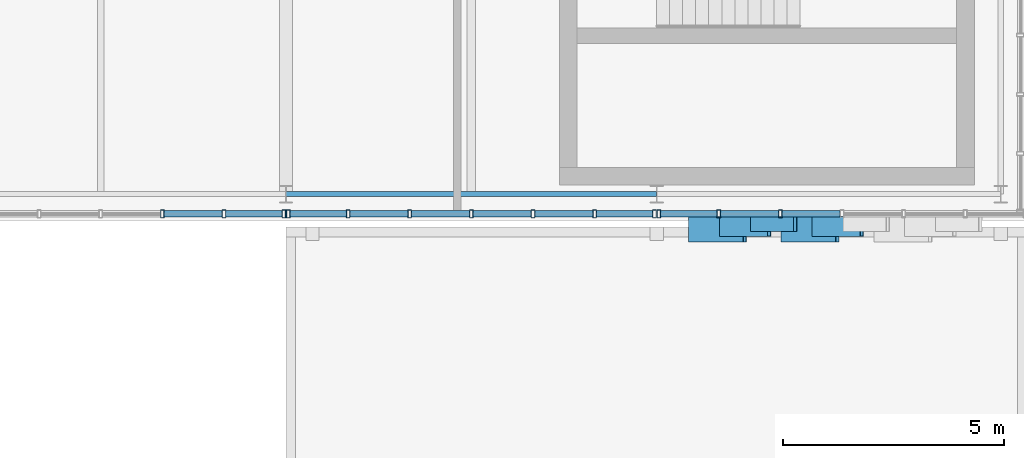
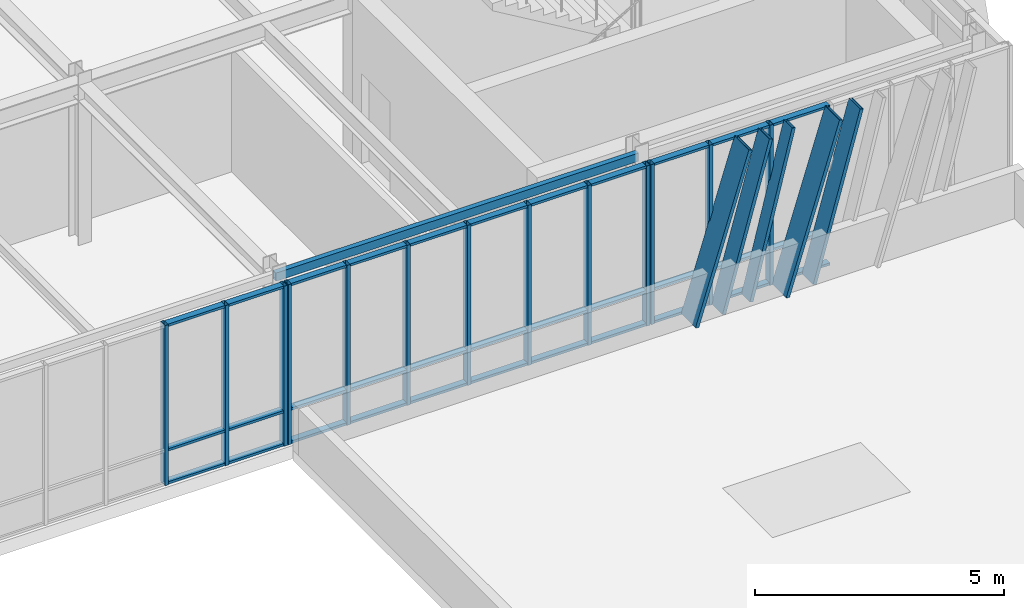
# One storey, part 27 of 127: 51 members, 1 beam, 3 elements without a shape of their own.
"""IFC4 building model written with IfcOpenShell, lengths in metres."""

from ifc_helpers import new_model, si_unit, direction, frame, origin, origin_2d, place, context, subcontext, project, spatial, hollow_rectangle, extrude, material, layer, layer_set, material_profile, profile_set, type_object, element, aggregate, save


model = new_model("IFC4")

# Units and contexts
model_context = context("Model", 3, precision=1e-05, world=origin(), true_north=direction((0.0, 1.0)))
body_context = subcontext(model_context, "Body", "Model", "MODEL_VIEW")
ifc_project = project(units=[si_unit("LENGTHUNIT", "METRE"), si_unit("AREAUNIT", "SQUARE_METRE"), si_unit("VOLUMEUNIT", "CUBIC_METRE"), si_unit("PLANEANGLEUNIT", "RADIAN"), si_unit("MASSUNIT", "GRAM", prefix="KILO")], contexts=[model_context])

# Site, building, storey
site_placement = place(None, origin())
site = spatial("IfcSite", under=ifc_project, at=site_placement, CompositionType="ELEMENT")
building_placement = place(site_placement, origin())
building = spatial("IfcBuilding", under=site, at=building_placement, Name="Zayran Congress Hotel", CompositionType="ELEMENT")
storey_placement = place(building_placement, frame((0.0, 0.0, 10.800048828125)))
storey = spatial("IfcBuildingStorey", under=building, at=storey_placement, Name="L02", CompositionType="ELEMENT", Elevation=10.800048828125)

# Beam
ifc_material_1 = material(Name="Steel S355", Category="steel")
ifc_material_profile_1 = material_profile(ifc_material_1, hollow_rectangle(XDim=0.1201171875, YDim=0.199951171875, WallThickness=0.008056640625, at=origin_2d()), Name="RHS 200x120x8")
ifc_profile_set_1 = profile_set([ifc_material_profile_1], Name="Steel S355")
beam_type = type_object("IfcBeamType", Name="TP-SP-02", PredefinedType="SPANDREL", material=ifc_profile_set_1)
beam_placement = place(storey_placement, frame((75.60009765625, 68.199951171875, 3.820068359375), z_axis=(1.0, 0.0, 0.0), x_axis=(0.0, 1.0, 0.0)))
element("IfcBeam", 1, at=beam_placement, inside=storey, type_object=beam_type, Name="BM-V1-L02-0660", PredefinedType="SPANDREL", context=body_context, shape_type="SweptSolid", body=[
    extrude(hollow_rectangle(XDim=0.1201171875, YDim=0.199951171875, WallThickness=0.008056640625, at=origin_2d()), origin(), (0.0, 0.0, 1.0), 8.39990234375),
])

# Curtain wall, members
ifc_material_2 = material(Name="Anodised aluminium and low-E insulated glass", Category="aluminium")
ifc_layer_1 = layer(ifc_material_2, 0.179931640625)
ifc_layer_set_1 = layer_set([ifc_layer_1], Name="Anodised aluminium and low-E insulated glass")
curtain_wall_type_1 = type_object("IfcCurtainWallType", Name="CW-V1S-L02-CW-12-8380-3920", PredefinedType="USERDEFINED", material=ifc_layer_set_1)
curtain_wall_1_placement = place(storey_placement, origin())
curtain_wall_1 = element("IfcCurtainWall", 2, at=curtain_wall_1_placement, inside=storey, type_object=curtain_wall_type_1, Name="CW-V1S-L02-7", ObjectType="CURTAIN WALL", PredefinedType="USERDEFINED")
ifc_material_3 = material(Name="Anodised aluminium framing", Category="aluminium")
ifc_material_profile_2 = material_profile(ifc_material_3, hollow_rectangle(XDim=0.080078125, YDim=0.179931640625, WallThickness=0.0048828125, at=origin_2d()), Name="RHS 180x80x5")
ifc_profile_set_2 = profile_set([ifc_material_profile_2], Name="Anodised aluminium framing")
member_type_1 = type_object("IfcMemberType", Name="TP-CWM-01", PredefinedType="MULLION", material=ifc_profile_set_2)
member_1_placement = place(storey_placement, frame((72.796630859375, 67.75, 0.0), z_axis=(0.0, 0.0, 1.0), x_axis=(1.0, 0.0, 0.0)))
member_1 = element("IfcMember", 3, at=member_1_placement, type_object=member_type_1, Name="CW-V1S-L02-7-M04", PredefinedType="MULLION", context=body_context, shape_type="SweptSolid", body=[
    extrude(hollow_rectangle(XDim=0.080078125, YDim=0.179931640625, WallThickness=0.0048828125, at=origin_2d()), origin(), (0.0, 0.0, 1.0), 3.919921875),
])
member_2_placement = place(storey_placement, frame((74.193359375, 67.75, 0.0), z_axis=(0.0, 0.0, 1.0), x_axis=(1.0, 0.0, 0.0)))
member_2 = element("IfcMember", 4, at=member_2_placement, type_object=member_type_1, Name="CW-V1S-L02-7-M05", PredefinedType="MULLION", context=body_context, shape_type="SweptSolid", body=[
    extrude(hollow_rectangle(XDim=0.080078125, YDim=0.179931640625, WallThickness=0.0048828125, at=origin_2d()), origin(), (0.0, 0.0, 1.0), 3.919921875),
])
member_3_placement = place(storey_placement, frame((75.550048828125, 67.75, 0.0), z_axis=(0.0, 0.0, 1.0), x_axis=(1.0, 0.0, 0.0)))
member_3 = element("IfcMember", 5, at=member_3_placement, type_object=member_type_1, Name="CW-V1S-L02-7-M06", PredefinedType="MULLION", context=body_context, shape_type="SweptSolid", body=[
    extrude(hollow_rectangle(XDim=0.080078125, YDim=0.179931640625, WallThickness=0.0048828125, at=origin_2d()), origin(), (0.0, 0.0, 1.0), 3.919921875),
])

ifc_layer_2 = layer(ifc_material_2, 0.179931640625)
ifc_layer_set_2 = layer_set([ifc_layer_2], Name="Anodised aluminium and low-E insulated glass")
curtain_wall_type_2 = type_object("IfcCurtainWallType", Name="CW-V1S-L02-CW-13-8380-3920", PredefinedType="USERDEFINED", material=ifc_layer_set_2)
curtain_wall_2_placement = place(storey_placement, origin())
curtain_wall_2 = element("IfcCurtainWall", 6, at=curtain_wall_2_placement, inside=storey, type_object=curtain_wall_type_2, Name="CW-V1S-L02-8", ObjectType="CURTAIN WALL", PredefinedType="USERDEFINED")
member_4_placement = place(storey_placement, frame((75.64990234375, 67.75, 0.0), z_axis=(0.0, 0.0, 1.0), x_axis=(1.0, 0.0, 0.0)))
member_4 = element("IfcMember", 7, at=member_4_placement, type_object=member_type_1, Name="CW-V1S-L02-8-M00", PredefinedType="MULLION", context=body_context, shape_type="SweptSolid", body=[
    extrude(hollow_rectangle(XDim=0.080078125, YDim=0.179931640625, WallThickness=0.0048828125, at=origin_2d()), origin(), (0.0, 0.0, 1.0), 3.919921875),
])
member_5_placement = place(storey_placement, frame((77.006591796875, 67.75, 0.0), z_axis=(0.0, 0.0, 1.0), x_axis=(1.0, 0.0, 0.0)))
member_5 = element("IfcMember", 8, at=member_5_placement, type_object=member_type_1, Name="CW-V1S-L02-8-M01", PredefinedType="MULLION", context=body_context, shape_type="SweptSolid", body=[
    extrude(hollow_rectangle(XDim=0.080078125, YDim=0.179931640625, WallThickness=0.0048828125, at=origin_2d()), origin(), (0.0, 0.0, 1.0), 3.919921875),
])
member_6_placement = place(storey_placement, frame((78.4033203125, 67.75, 0.0), z_axis=(0.0, 0.0, 1.0), x_axis=(1.0, 0.0, 0.0)))
member_6 = element("IfcMember", 9, at=member_6_placement, type_object=member_type_1, Name="CW-V1S-L02-8-M02", PredefinedType="MULLION", context=body_context, shape_type="SweptSolid", body=[
    extrude(hollow_rectangle(XDim=0.080078125, YDim=0.179931640625, WallThickness=0.0048828125, at=origin_2d()), origin(), (0.0, 0.0, 1.0), 3.919921875),
])
member_7_placement = place(storey_placement, frame((79.800048828125, 67.75, 0.0), z_axis=(0.0, 0.0, 1.0), x_axis=(1.0, 0.0, 0.0)))
member_7 = element("IfcMember", 10, at=member_7_placement, type_object=member_type_1, Name="CW-V1S-L02-8-M03", PredefinedType="MULLION", context=body_context, shape_type="SweptSolid", body=[
    extrude(hollow_rectangle(XDim=0.080078125, YDim=0.179931640625, WallThickness=0.0048828125, at=origin_2d()), origin(), (0.0, 0.0, 1.0), 3.919921875),
])
member_8_placement = place(storey_placement, frame((81.19677734375, 67.75, 0.0), z_axis=(0.0, 0.0, 1.0), x_axis=(1.0, 0.0, 0.0)))
member_8 = element("IfcMember", 11, at=member_8_placement, type_object=member_type_1, Name="CW-V1S-L02-8-M04", PredefinedType="MULLION", context=body_context, shape_type="SweptSolid", body=[
    extrude(hollow_rectangle(XDim=0.080078125, YDim=0.179931640625, WallThickness=0.0048828125, at=origin_2d()), origin(), (0.0, 0.0, 1.0), 3.919921875),
])
member_9_placement = place(storey_placement, frame((82.59326171875, 67.75, 0.0), z_axis=(0.0, 0.0, 1.0), x_axis=(1.0, 0.0, 0.0)))
member_9 = element("IfcMember", 12, at=member_9_placement, type_object=member_type_1, Name="CW-V1S-L02-8-M05", PredefinedType="MULLION", context=body_context, shape_type="SweptSolid", body=[
    extrude(hollow_rectangle(XDim=0.080078125, YDim=0.179931640625, WallThickness=0.0048828125, at=origin_2d()), origin(), (0.0, 0.0, 1.0), 3.919921875),
])
member_10_placement = place(storey_placement, frame((83.949951171875, 67.75, 0.0), z_axis=(0.0, 0.0, 1.0), x_axis=(1.0, 0.0, 0.0)))
member_10 = element("IfcMember", 13, at=member_10_placement, type_object=member_type_1, Name="CW-V1S-L02-8-M06", PredefinedType="MULLION", context=body_context, shape_type="SweptSolid", body=[
    extrude(hollow_rectangle(XDim=0.080078125, YDim=0.179931640625, WallThickness=0.0048828125, at=origin_2d()), origin(), (0.0, 0.0, 1.0), 3.919921875),
])

ifc_layer_3 = layer(ifc_material_2, 0.179931640625)
ifc_layer_set_3 = layer_set([ifc_layer_3], Name="Anodised aluminium and low-E insulated glass")
curtain_wall_type_3 = type_object("IfcCurtainWallType", Name="CW-V1S-L02-CW-11-8380-3920", PredefinedType="USERDEFINED", material=ifc_layer_set_3)
curtain_wall_3_placement = place(storey_placement, origin())
curtain_wall_3 = element("IfcCurtainWall", 14, at=curtain_wall_3_placement, inside=storey, type_object=curtain_wall_type_3, Name="CW-V1S-L02-9", ObjectType="CURTAIN WALL", PredefinedType="USERDEFINED")
member_11_placement = place(storey_placement, frame((84.050048828125, 67.75, 0.0), z_axis=(0.0, 0.0, 1.0), x_axis=(1.0, 0.0, 0.0)))
member_11 = element("IfcMember", 15, at=member_11_placement, type_object=member_type_1, Name="CW-V1S-L02-9-M00", PredefinedType="MULLION", context=body_context, shape_type="SweptSolid", body=[
    extrude(hollow_rectangle(XDim=0.080078125, YDim=0.179931640625, WallThickness=0.0048828125, at=origin_2d()), origin(), (0.0, 0.0, 1.0), 3.919921875),
])
member_12_placement = place(storey_placement, frame((85.40673828125, 67.75, 0.0), z_axis=(0.0, 0.0, 1.0), x_axis=(1.0, 0.0, 0.0)))
member_12 = element("IfcMember", 16, at=member_12_placement, type_object=member_type_1, Name="CW-V1S-L02-9-M01", PredefinedType="MULLION", context=body_context, shape_type="SweptSolid", body=[
    extrude(hollow_rectangle(XDim=0.080078125, YDim=0.179931640625, WallThickness=0.0048828125, at=origin_2d()), origin(), (0.0, 0.0, 1.0), 3.919921875),
])
member_13_placement = place(storey_placement, frame((86.80322265625, 67.75, 0.0), z_axis=(0.0, 0.0, 1.0), x_axis=(1.0, 0.0, 0.0)))
member_13 = element("IfcMember", 17, at=member_13_placement, type_object=member_type_1, Name="CW-V1S-L02-9-M02", PredefinedType="MULLION", context=body_context, shape_type="SweptSolid", body=[
    extrude(hollow_rectangle(XDim=0.080078125, YDim=0.179931640625, WallThickness=0.0048828125, at=origin_2d()), origin(), (0.0, 0.0, 1.0), 3.919921875),
])

# Member
ifc_material_profile_3 = material_profile(ifc_material_3, hollow_rectangle(XDim=0.06005859375, YDim=0.14990234375, WallThickness=0.00390625, at=origin_2d()), Name="RHS 150x60x4")
ifc_profile_set_3 = profile_set([ifc_material_profile_3], Name="Anodised aluminium framing")
member_type_2 = type_object("IfcMemberType", Name="TP-CWT-01", PredefinedType="USERDEFINED", material=ifc_profile_set_3)
member_14_placement = place(storey_placement, frame((72.836669921875, 67.75, 0.030029296875), z_axis=(1.0, 0.0, 0.0), x_axis=(0.0, 0.0, 1.0)))
member_14 = element("IfcMember", 18, at=member_14_placement, type_object=member_type_2, Name="CW-V1S-L02-7-T04-0", ObjectType="TRANSOM", PredefinedType="USERDEFINED", context=body_context, shape_type="SweptSolid", body=[
    extrude(hollow_rectangle(XDim=0.06005859375, YDim=0.14990234375, WallThickness=0.00390625, at=origin_2d()), origin(), (0.0, 0.0, 1.0), 1.316650390625),
])

member_15_placement = place(storey_placement, frame((72.836669921875, 67.75, 0.83984375), z_axis=(1.0, 0.0, 0.0), x_axis=(0.0, 0.0, 1.0)))
member_15 = element("IfcMember", 19, at=member_15_placement, type_object=member_type_2, Name="CW-V1S-L02-7-T04-1", ObjectType="TRANSOM", PredefinedType="USERDEFINED", context=body_context, shape_type="SweptSolid", body=[
    extrude(hollow_rectangle(XDim=0.06005859375, YDim=0.14990234375, WallThickness=0.00390625, at=origin_2d()), origin(), (0.0, 0.0, 1.0), 1.316650390625),
])

member_16_placement = place(storey_placement, frame((72.836669921875, 67.75, 3.889892578125), z_axis=(1.0, 0.0, 0.0), x_axis=(0.0, 0.0, 1.0)))
member_16 = element("IfcMember", 20, at=member_16_placement, type_object=member_type_2, Name="CW-V1S-L02-7-T04-2", ObjectType="TRANSOM", PredefinedType="USERDEFINED", context=body_context, shape_type="SweptSolid", body=[
    extrude(hollow_rectangle(XDim=0.06005859375, YDim=0.14990234375, WallThickness=0.00390625, at=origin_2d()), origin(), (0.0, 0.0, 1.0), 1.316650390625),
])

member_17_placement = place(storey_placement, frame((74.2333984375, 67.75, 0.030029296875), z_axis=(1.0, 0.0, 0.0), x_axis=(0.0, 0.0, 1.0)))
member_17 = element("IfcMember", 21, at=member_17_placement, type_object=member_type_2, Name="CW-V1S-L02-7-T05-0", ObjectType="TRANSOM", PredefinedType="USERDEFINED", context=body_context, shape_type="SweptSolid", body=[
    extrude(hollow_rectangle(XDim=0.06005859375, YDim=0.14990234375, WallThickness=0.00390625, at=origin_2d()), origin(), (0.0, 0.0, 1.0), 1.276611328125),
])

member_18_placement = place(storey_placement, frame((74.2333984375, 67.75, 0.83984375), z_axis=(1.0, 0.0, 0.0), x_axis=(0.0, 0.0, 1.0)))
member_18 = element("IfcMember", 22, at=member_18_placement, type_object=member_type_2, Name="CW-V1S-L02-7-T05-1", ObjectType="TRANSOM", PredefinedType="USERDEFINED", context=body_context, shape_type="SweptSolid", body=[
    extrude(hollow_rectangle(XDim=0.06005859375, YDim=0.14990234375, WallThickness=0.00390625, at=origin_2d()), origin(), (0.0, 0.0, 1.0), 1.276611328125),
])

member_19_placement = place(storey_placement, frame((74.2333984375, 67.75, 3.889892578125), z_axis=(1.0, 0.0, 0.0), x_axis=(0.0, 0.0, 1.0)))
member_19 = element("IfcMember", 23, at=member_19_placement, type_object=member_type_2, Name="CW-V1S-L02-7-T05-2", ObjectType="TRANSOM", PredefinedType="USERDEFINED", context=body_context, shape_type="SweptSolid", body=[
    extrude(hollow_rectangle(XDim=0.06005859375, YDim=0.14990234375, WallThickness=0.00390625, at=origin_2d()), origin(), (0.0, 0.0, 1.0), 1.276611328125),
])

aggregate(curtain_wall_1, [member_1, member_2, member_3, member_14, member_15, member_16, member_17, member_18, member_19])

member_20_placement = place(storey_placement, frame((75.68994140625, 67.75, 0.030029296875), z_axis=(1.0, 0.0, 0.0), x_axis=(0.0, 0.0, 1.0)))
member_20 = element("IfcMember", 24, at=member_20_placement, type_object=member_type_2, Name="CW-V1S-L02-8-T00-0", ObjectType="TRANSOM", PredefinedType="USERDEFINED", context=body_context, shape_type="SweptSolid", body=[
    extrude(hollow_rectangle(XDim=0.06005859375, YDim=0.14990234375, WallThickness=0.00390625, at=origin_2d()), origin(), (0.0, 0.0, 1.0), 1.27685546875),
])

member_21_placement = place(storey_placement, frame((75.68994140625, 67.75, 0.83984375), z_axis=(1.0, 0.0, 0.0), x_axis=(0.0, 0.0, 1.0)))
member_21 = element("IfcMember", 25, at=member_21_placement, type_object=member_type_2, Name="CW-V1S-L02-8-T00-1", ObjectType="TRANSOM", PredefinedType="USERDEFINED", context=body_context, shape_type="SweptSolid", body=[
    extrude(hollow_rectangle(XDim=0.06005859375, YDim=0.14990234375, WallThickness=0.00390625, at=origin_2d()), origin(), (0.0, 0.0, 1.0), 1.27685546875),
])

member_22_placement = place(storey_placement, frame((75.68994140625, 67.75, 3.889892578125), z_axis=(1.0, 0.0, 0.0), x_axis=(0.0, 0.0, 1.0)))
member_22 = element("IfcMember", 26, at=member_22_placement, type_object=member_type_2, Name="CW-V1S-L02-8-T00-2", ObjectType="TRANSOM", PredefinedType="USERDEFINED", context=body_context, shape_type="SweptSolid", body=[
    extrude(hollow_rectangle(XDim=0.06005859375, YDim=0.14990234375, WallThickness=0.00390625, at=origin_2d()), origin(), (0.0, 0.0, 1.0), 1.27685546875),
])

member_23_placement = place(storey_placement, frame((77.046630859375, 67.75, 0.030029296875), z_axis=(1.0, 0.0, 0.0), x_axis=(0.0, 0.0, 1.0)))
member_23 = element("IfcMember", 27, at=member_23_placement, type_object=member_type_2, Name="CW-V1S-L02-8-T01-0", ObjectType="TRANSOM", PredefinedType="USERDEFINED", context=body_context, shape_type="SweptSolid", body=[
    extrude(hollow_rectangle(XDim=0.06005859375, YDim=0.14990234375, WallThickness=0.00390625, at=origin_2d()), origin(), (0.0, 0.0, 1.0), 1.316650390625),
])

member_24_placement = place(storey_placement, frame((77.046630859375, 67.75, 0.83984375), z_axis=(1.0, 0.0, 0.0), x_axis=(0.0, 0.0, 1.0)))
member_24 = element("IfcMember", 28, at=member_24_placement, type_object=member_type_2, Name="CW-V1S-L02-8-T01-1", ObjectType="TRANSOM", PredefinedType="USERDEFINED", context=body_context, shape_type="SweptSolid", body=[
    extrude(hollow_rectangle(XDim=0.06005859375, YDim=0.14990234375, WallThickness=0.00390625, at=origin_2d()), origin(), (0.0, 0.0, 1.0), 1.316650390625),
])

member_25_placement = place(storey_placement, frame((77.046630859375, 67.75, 3.889892578125), z_axis=(1.0, 0.0, 0.0), x_axis=(0.0, 0.0, 1.0)))
member_25 = element("IfcMember", 29, at=member_25_placement, type_object=member_type_2, Name="CW-V1S-L02-8-T01-2", ObjectType="TRANSOM", PredefinedType="USERDEFINED", context=body_context, shape_type="SweptSolid", body=[
    extrude(hollow_rectangle(XDim=0.06005859375, YDim=0.14990234375, WallThickness=0.00390625, at=origin_2d()), origin(), (0.0, 0.0, 1.0), 1.316650390625),
])

member_26_placement = place(storey_placement, frame((78.443359375, 67.75, 0.030029296875), z_axis=(1.0, 0.0, 0.0), x_axis=(0.0, 0.0, 1.0)))
member_26 = element("IfcMember", 30, at=member_26_placement, type_object=member_type_2, Name="CW-V1S-L02-8-T02-0", ObjectType="TRANSOM", PredefinedType="USERDEFINED", context=body_context, shape_type="SweptSolid", body=[
    extrude(hollow_rectangle(XDim=0.06005859375, YDim=0.14990234375, WallThickness=0.00390625, at=origin_2d()), origin(), (0.0, 0.0, 1.0), 1.316650390625),
])

member_27_placement = place(storey_placement, frame((78.443359375, 67.75, 0.83984375), z_axis=(1.0, 0.0, 0.0), x_axis=(0.0, 0.0, 1.0)))
member_27 = element("IfcMember", 31, at=member_27_placement, type_object=member_type_2, Name="CW-V1S-L02-8-T02-1", ObjectType="TRANSOM", PredefinedType="USERDEFINED", context=body_context, shape_type="SweptSolid", body=[
    extrude(hollow_rectangle(XDim=0.06005859375, YDim=0.14990234375, WallThickness=0.00390625, at=origin_2d()), origin(), (0.0, 0.0, 1.0), 1.316650390625),
])

member_28_placement = place(storey_placement, frame((78.443359375, 67.75, 3.889892578125), z_axis=(1.0, 0.0, 0.0), x_axis=(0.0, 0.0, 1.0)))
member_28 = element("IfcMember", 32, at=member_28_placement, type_object=member_type_2, Name="CW-V1S-L02-8-T02-2", ObjectType="TRANSOM", PredefinedType="USERDEFINED", context=body_context, shape_type="SweptSolid", body=[
    extrude(hollow_rectangle(XDim=0.06005859375, YDim=0.14990234375, WallThickness=0.00390625, at=origin_2d()), origin(), (0.0, 0.0, 1.0), 1.316650390625),
])

member_29_placement = place(storey_placement, frame((79.840087890625, 67.75, 0.030029296875), z_axis=(1.0, 0.0, 0.0), x_axis=(0.0, 0.0, 1.0)))
member_29 = element("IfcMember", 33, at=member_29_placement, type_object=member_type_2, Name="CW-V1S-L02-8-T03-0", ObjectType="TRANSOM", PredefinedType="USERDEFINED", context=body_context, shape_type="SweptSolid", body=[
    extrude(hollow_rectangle(XDim=0.06005859375, YDim=0.14990234375, WallThickness=0.00390625, at=origin_2d()), origin(), (0.0, 0.0, 1.0), 1.316650390625),
])

member_30_placement = place(storey_placement, frame((79.840087890625, 67.75, 0.83984375), z_axis=(1.0, 0.0, 0.0), x_axis=(0.0, 0.0, 1.0)))
member_30 = element("IfcMember", 34, at=member_30_placement, type_object=member_type_2, Name="CW-V1S-L02-8-T03-1", ObjectType="TRANSOM", PredefinedType="USERDEFINED", context=body_context, shape_type="SweptSolid", body=[
    extrude(hollow_rectangle(XDim=0.06005859375, YDim=0.14990234375, WallThickness=0.00390625, at=origin_2d()), origin(), (0.0, 0.0, 1.0), 1.316650390625),
])

member_31_placement = place(storey_placement, frame((79.840087890625, 67.75, 3.889892578125), z_axis=(1.0, 0.0, 0.0), x_axis=(0.0, 0.0, 1.0)))
member_31 = element("IfcMember", 35, at=member_31_placement, type_object=member_type_2, Name="CW-V1S-L02-8-T03-2", ObjectType="TRANSOM", PredefinedType="USERDEFINED", context=body_context, shape_type="SweptSolid", body=[
    extrude(hollow_rectangle(XDim=0.06005859375, YDim=0.14990234375, WallThickness=0.00390625, at=origin_2d()), origin(), (0.0, 0.0, 1.0), 1.316650390625),
])

member_32_placement = place(storey_placement, frame((81.23681640625, 67.75, 0.030029296875), z_axis=(1.0, 0.0, 0.0), x_axis=(0.0, 0.0, 1.0)))
member_32 = element("IfcMember", 36, at=member_32_placement, type_object=member_type_2, Name="CW-V1S-L02-8-T04-0", ObjectType="TRANSOM", PredefinedType="USERDEFINED", context=body_context, shape_type="SweptSolid", body=[
    extrude(hollow_rectangle(XDim=0.06005859375, YDim=0.14990234375, WallThickness=0.00390625, at=origin_2d()), origin(), (0.0, 0.0, 1.0), 1.31640625),
])

member_33_placement = place(storey_placement, frame((81.23681640625, 67.75, 0.83984375), z_axis=(1.0, 0.0, 0.0), x_axis=(0.0, 0.0, 1.0)))
member_33 = element("IfcMember", 37, at=member_33_placement, type_object=member_type_2, Name="CW-V1S-L02-8-T04-1", ObjectType="TRANSOM", PredefinedType="USERDEFINED", context=body_context, shape_type="SweptSolid", body=[
    extrude(hollow_rectangle(XDim=0.06005859375, YDim=0.14990234375, WallThickness=0.00390625, at=origin_2d()), origin(), (0.0, 0.0, 1.0), 1.31640625),
])

member_34_placement = place(storey_placement, frame((81.23681640625, 67.75, 3.889892578125), z_axis=(1.0, 0.0, 0.0), x_axis=(0.0, 0.0, 1.0)))
member_34 = element("IfcMember", 38, at=member_34_placement, type_object=member_type_2, Name="CW-V1S-L02-8-T04-2", ObjectType="TRANSOM", PredefinedType="USERDEFINED", context=body_context, shape_type="SweptSolid", body=[
    extrude(hollow_rectangle(XDim=0.06005859375, YDim=0.14990234375, WallThickness=0.00390625, at=origin_2d()), origin(), (0.0, 0.0, 1.0), 1.31640625),
])

member_35_placement = place(storey_placement, frame((82.63330078125, 67.75, 0.030029296875), z_axis=(1.0, 0.0, 0.0), x_axis=(0.0, 0.0, 1.0)))
member_35 = element("IfcMember", 39, at=member_35_placement, type_object=member_type_2, Name="CW-V1S-L02-8-T05-0", ObjectType="TRANSOM", PredefinedType="USERDEFINED", context=body_context, shape_type="SweptSolid", body=[
    extrude(hollow_rectangle(XDim=0.06005859375, YDim=0.14990234375, WallThickness=0.00390625, at=origin_2d()), origin(), (0.0, 0.0, 1.0), 1.276611328125),
])

member_36_placement = place(storey_placement, frame((82.63330078125, 67.75, 0.83984375), z_axis=(1.0, 0.0, 0.0), x_axis=(0.0, 0.0, 1.0)))
member_36 = element("IfcMember", 40, at=member_36_placement, type_object=member_type_2, Name="CW-V1S-L02-8-T05-1", ObjectType="TRANSOM", PredefinedType="USERDEFINED", context=body_context, shape_type="SweptSolid", body=[
    extrude(hollow_rectangle(XDim=0.06005859375, YDim=0.14990234375, WallThickness=0.00390625, at=origin_2d()), origin(), (0.0, 0.0, 1.0), 1.276611328125),
])

member_37_placement = place(storey_placement, frame((82.63330078125, 67.75, 3.889892578125), z_axis=(1.0, 0.0, 0.0), x_axis=(0.0, 0.0, 1.0)))
member_37 = element("IfcMember", 41, at=member_37_placement, type_object=member_type_2, Name="CW-V1S-L02-8-T05-2", ObjectType="TRANSOM", PredefinedType="USERDEFINED", context=body_context, shape_type="SweptSolid", body=[
    extrude(hollow_rectangle(XDim=0.06005859375, YDim=0.14990234375, WallThickness=0.00390625, at=origin_2d()), origin(), (0.0, 0.0, 1.0), 1.276611328125),
])

aggregate(curtain_wall_2, [member_4, member_5, member_6, member_7, member_8, member_9, member_10, member_20, member_21, member_22, member_23, member_24, member_25, member_26, member_27, member_28, member_29, member_30, member_31, member_32, member_33, member_34, member_35, member_36, member_37])

member_38_placement = place(storey_placement, frame((84.090087890625, 67.75, 0.030029296875), z_axis=(1.0, 0.0, 0.0), x_axis=(0.0, 0.0, 1.0)))
member_38 = element("IfcMember", 42, at=member_38_placement, type_object=member_type_2, Name="CW-V1S-L02-9-T00-0", ObjectType="TRANSOM", PredefinedType="USERDEFINED", context=body_context, shape_type="SweptSolid", body=[
    extrude(hollow_rectangle(XDim=0.06005859375, YDim=0.14990234375, WallThickness=0.00390625, at=origin_2d()), origin(), (0.0, 0.0, 1.0), 1.276611328125),
])

member_39_placement = place(storey_placement, frame((84.090087890625, 67.75, 0.83984375), z_axis=(1.0, 0.0, 0.0), x_axis=(0.0, 0.0, 1.0)))
member_39 = element("IfcMember", 43, at=member_39_placement, type_object=member_type_2, Name="CW-V1S-L02-9-T00-1", ObjectType="TRANSOM", PredefinedType="USERDEFINED", context=body_context, shape_type="SweptSolid", body=[
    extrude(hollow_rectangle(XDim=0.06005859375, YDim=0.14990234375, WallThickness=0.00390625, at=origin_2d()), origin(), (0.0, 0.0, 1.0), 1.276611328125),
])

member_40_placement = place(storey_placement, frame((84.090087890625, 67.75, 3.889892578125), z_axis=(1.0, 0.0, 0.0), x_axis=(0.0, 0.0, 1.0)))
member_40 = element("IfcMember", 44, at=member_40_placement, type_object=member_type_2, Name="CW-V1S-L02-9-T00-2", ObjectType="TRANSOM", PredefinedType="USERDEFINED", context=body_context, shape_type="SweptSolid", body=[
    extrude(hollow_rectangle(XDim=0.06005859375, YDim=0.14990234375, WallThickness=0.00390625, at=origin_2d()), origin(), (0.0, 0.0, 1.0), 1.276611328125),
])

member_41_placement = place(storey_placement, frame((85.44677734375, 67.75, 0.030029296875), z_axis=(1.0, 0.0, 0.0), x_axis=(0.0, 0.0, 1.0)))
member_41 = element("IfcMember", 45, at=member_41_placement, type_object=member_type_2, Name="CW-V1S-L02-9-T01-0", ObjectType="TRANSOM", PredefinedType="USERDEFINED", context=body_context, shape_type="SweptSolid", body=[
    extrude(hollow_rectangle(XDim=0.06005859375, YDim=0.14990234375, WallThickness=0.00390625, at=origin_2d()), origin(), (0.0, 0.0, 1.0), 1.31640625),
])

member_42_placement = place(storey_placement, frame((85.44677734375, 67.75, 0.83984375), z_axis=(1.0, 0.0, 0.0), x_axis=(0.0, 0.0, 1.0)))
member_42 = element("IfcMember", 46, at=member_42_placement, type_object=member_type_2, Name="CW-V1S-L02-9-T01-1", ObjectType="TRANSOM", PredefinedType="USERDEFINED", context=body_context, shape_type="SweptSolid", body=[
    extrude(hollow_rectangle(XDim=0.06005859375, YDim=0.14990234375, WallThickness=0.00390625, at=origin_2d()), origin(), (0.0, 0.0, 1.0), 1.31640625),
])

member_43_placement = place(storey_placement, frame((85.44677734375, 67.75, 3.889892578125), z_axis=(1.0, 0.0, 0.0), x_axis=(0.0, 0.0, 1.0)))
member_43 = element("IfcMember", 47, at=member_43_placement, type_object=member_type_2, Name="CW-V1S-L02-9-T01-2", ObjectType="TRANSOM", PredefinedType="USERDEFINED", context=body_context, shape_type="SweptSolid", body=[
    extrude(hollow_rectangle(XDim=0.06005859375, YDim=0.14990234375, WallThickness=0.00390625, at=origin_2d()), origin(), (0.0, 0.0, 1.0), 1.31640625),
])

member_44_placement = place(storey_placement, frame((86.84326171875, 67.75, 0.030029296875), z_axis=(1.0, 0.0, 0.0), x_axis=(0.0, 0.0, 1.0)))
member_44 = element("IfcMember", 48, at=member_44_placement, type_object=member_type_2, Name="CW-V1S-L02-9-T02-0", ObjectType="TRANSOM", PredefinedType="USERDEFINED", context=body_context, shape_type="SweptSolid", body=[
    extrude(hollow_rectangle(XDim=0.06005859375, YDim=0.14990234375, WallThickness=0.00390625, at=origin_2d()), origin(), (0.0, 0.0, 1.0), 1.316650390625),
])

member_45_placement = place(storey_placement, frame((86.84326171875, 67.75, 0.83984375), z_axis=(1.0, 0.0, 0.0), x_axis=(0.0, 0.0, 1.0)))
member_45 = element("IfcMember", 49, at=member_45_placement, type_object=member_type_2, Name="CW-V1S-L02-9-T02-1", ObjectType="TRANSOM", PredefinedType="USERDEFINED", context=body_context, shape_type="SweptSolid", body=[
    extrude(hollow_rectangle(XDim=0.06005859375, YDim=0.14990234375, WallThickness=0.00390625, at=origin_2d()), origin(), (0.0, 0.0, 1.0), 1.316650390625),
])

member_46_placement = place(storey_placement, frame((86.84326171875, 67.75, 3.889892578125), z_axis=(1.0, 0.0, 0.0), x_axis=(0.0, 0.0, 1.0)))
member_46 = element("IfcMember", 50, at=member_46_placement, type_object=member_type_2, Name="CW-V1S-L02-9-T02-2", ObjectType="TRANSOM", PredefinedType="USERDEFINED", context=body_context, shape_type="SweptSolid", body=[
    extrude(hollow_rectangle(XDim=0.06005859375, YDim=0.14990234375, WallThickness=0.00390625, at=origin_2d()), origin(), (0.0, 0.0, 1.0), 1.316650390625),
])

ifc_material_4 = material(Name="Warm bronze anodised aluminium", Category="aluminium")
ifc_material_profile_4 = material_profile(ifc_material_4, hollow_rectangle(XDim=0.080078125, YDim=0.580078125, WallThickness=0.006103515625, at=origin_2d()), Name="RHS 580x80x6")
ifc_profile_set_4 = profile_set([ifc_material_profile_4], Name="Warm bronze anodised aluminium")
member_type_3 = type_object("IfcMemberType", Name="TP-RFN-01", PredefinedType="MULLION", material=ifc_profile_set_4)
member_47_placement = place(storey_placement, frame((84.760009765625, 67.39990234375, 0.0), z_axis=(0.300736197829, 0.0, 0.953707365661), x_axis=(-0.953707365661, 0.0, 0.300736197829)))
member_47 = element("IfcMember", 51, at=member_47_placement, type_object=member_type_3, Name="Slanting Reed Mullion CW-11-01", PredefinedType="MULLION", context=body_context, shape_type="SweptSolid", body=[
    extrude(hollow_rectangle(XDim=0.080078125, YDim=0.580078125, WallThickness=0.006103515625, at=origin_2d()), origin(), (0.0, 0.0, 1.0), 4.110107421875),
])

member_48_placement = place(storey_placement, frame((86.860107421875, 67.39990234375, 0.0), z_axis=(0.30068216973, 0.0, 0.953724400866), x_axis=(-0.953724400866, 0.0, 0.30068216973)))
member_48 = element("IfcMember", 52, at=member_48_placement, type_object=member_type_3, Name="Slanting Reed Mullion CW-11-04", PredefinedType="MULLION", context=body_context, shape_type="SweptSolid", body=[
    extrude(hollow_rectangle(XDim=0.080078125, YDim=0.580078125, WallThickness=0.006103515625, at=origin_2d()), origin(), (0.0, 0.0, 1.0), 4.110107421875),
])

ifc_material_profile_5 = material_profile(ifc_material_4, hollow_rectangle(XDim=0.080078125, YDim=0.449951171875, WallThickness=0.006103515625, at=origin_2d()), Name="RHS 450x80x6")
ifc_profile_set_5 = profile_set([ifc_material_profile_5], Name="Warm bronze anodised aluminium")
member_type_4 = type_object("IfcMemberType", Name="TP-RFN-02", PredefinedType="MULLION", material=ifc_profile_set_5)
member_49_placement = place(storey_placement, frame((85.4599609375, 67.465087890625, 0.0), z_axis=(0.267253820088, 0.0, 0.963626170072), x_axis=(-0.963626170072, 0.0, 0.267253820088)))
member_49 = element("IfcMember", 53, at=member_49_placement, type_object=member_type_4, Name="Slanting Reed Mullion CW-11-02", PredefinedType="MULLION", context=body_context, shape_type="SweptSolid", body=[
    extrude(hollow_rectangle(XDim=0.080078125, YDim=0.449951171875, WallThickness=0.006103515625, at=origin_2d()), origin(), (0.0, 0.0, 1.0), 4.06787109375),
])

member_50_placement = place(storey_placement, frame((87.56005859375, 67.465087890625, 0.0), z_axis=(0.267253820088, 0.0, 0.963626170072), x_axis=(-0.963626170072, 0.0, 0.267253820088)))
member_50 = element("IfcMember", 54, at=member_50_placement, type_object=member_type_4, Name="Slanting Reed Mullion CW-11-05", PredefinedType="MULLION", context=body_context, shape_type="SweptSolid", body=[
    extrude(hollow_rectangle(XDim=0.080078125, YDim=0.449951171875, WallThickness=0.006103515625, at=origin_2d()), origin(), (0.0, 0.0, 1.0), 4.06787109375),
])

ifc_material_profile_6 = material_profile(ifc_material_4, hollow_rectangle(XDim=0.080078125, YDim=0.340087890625, WallThickness=0.006103515625, at=origin_2d()), Name="RHS 340x80x6")
ifc_profile_set_6 = profile_set([ifc_material_profile_6], Name="Warm bronze anodised aluminium")
member_type_5 = type_object("IfcMemberType", Name="TP-RFN-03", PredefinedType="MULLION", material=ifc_profile_set_6)
member_51_placement = place(storey_placement, frame((86.159912109375, 67.52001953125, 0.0), z_axis=(0.24196681843, 0.0, 0.970284524652), x_axis=(-0.970284524652, 0.0, 0.24196681843)))
member_51 = element("IfcMember", 55, at=member_51_placement, type_object=member_type_5, Name="Slanting Reed Mullion CW-11-03", PredefinedType="MULLION", context=body_context, shape_type="SweptSolid", body=[
    extrude(hollow_rectangle(XDim=0.080078125, YDim=0.340087890625, WallThickness=0.006103515625, at=origin_2d()), origin(), (0.0, 0.0, 1.0), 4.0400390625),
])

aggregate(curtain_wall_3, [member_11, member_12, member_13, member_38, member_39, member_40, member_41, member_42, member_43, member_44, member_45, member_46, member_47, member_49, member_51, member_48, member_50])

save(model, "model.ifc")
